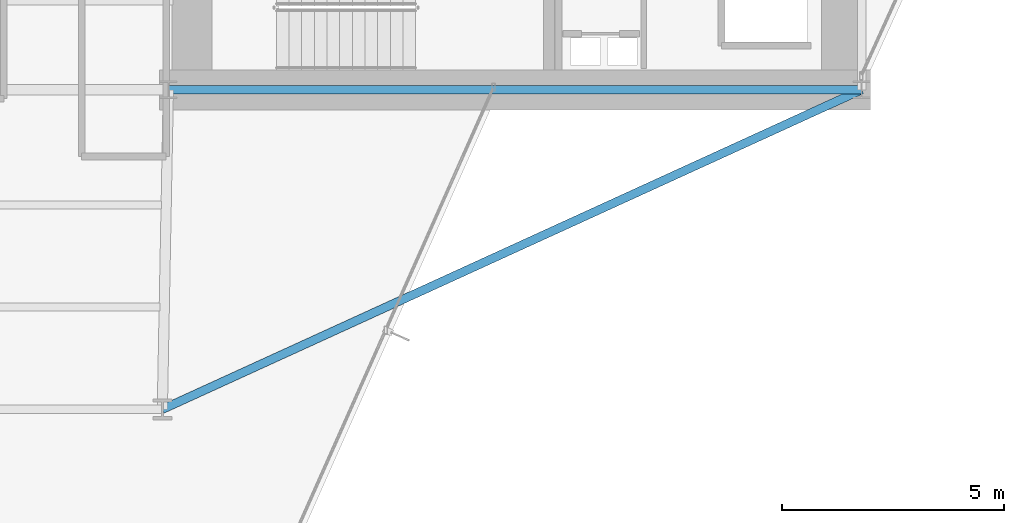
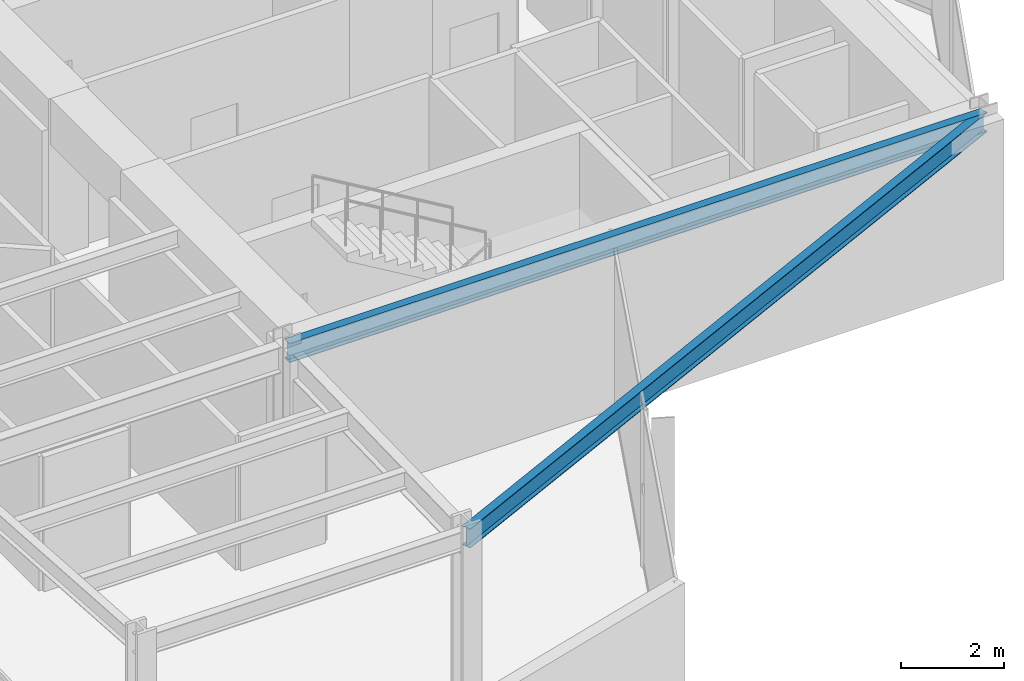
# One storey, part 11 of 23: 2 beams.
"""IFC4 building model written with IfcOpenShell, lengths in metres."""

from ifc_helpers import new_model, si_unit, direction, frame, origin, origin_2d, place, context, subcontext, project, spatial, i_section, extrude, material, material_profile, profile_set, type_object, element, save


model = new_model("IFC4")

# Units and contexts
model_context = context("Model", 3, precision=1e-05, world=origin(), true_north=direction((0.0, 1.0)))
body_context = subcontext(model_context, "Body", "Model", "MODEL_VIEW")
ifc_project = project(units=[si_unit("LENGTHUNIT", "METRE"), si_unit("AREAUNIT", "SQUARE_METRE"), si_unit("VOLUMEUNIT", "CUBIC_METRE"), si_unit("PLANEANGLEUNIT", "RADIAN"), si_unit("MASSUNIT", "GRAM", prefix="KILO")], contexts=[model_context])

# Site, building, storey
site_placement = place(None, origin())
site = spatial("IfcSite", under=ifc_project, at=site_placement, CompositionType="ELEMENT")
building_placement = place(site_placement, origin())
building = spatial("IfcBuilding", under=site, at=building_placement, Name="Veymaron Broadcast Tower", CompositionType="ELEMENT")
storey_placement = place(building_placement, frame((0.0, 0.0, 94.5)))
storey = spatial("IfcBuildingStorey", under=building, at=storey_placement, Name="L21", CompositionType="ELEMENT", Elevation=94.5)

# Beams
ifc_material = material(Name="Structural steel ASTM A992 Gr 50", Category="steel")
ifc_material_profile = material_profile(ifc_material, i_section(OverallWidth=0.19091796875, OverallDepth=0.4599609375, WebThickness=0.010009765625, FlangeThickness=0.01611328125, at=origin_2d()), Name="W460X82")
ifc_profile_set = profile_set([ifc_material_profile], Name="Structural steel ASTM A992 Gr 50")
beam_type = type_object("IfcBeamType", Name="BM-SP1", PredefinedType="SPANDREL", material=ifc_profile_set)
beam_1_placement = place(storey_placement, frame((39.0, 16.0, 3.580078125), z_axis=(1.0, 0.0, 0.0), x_axis=(0.0, 1.0, 0.0)))
element("IfcBeam", 1, at=beam_1_placement, inside=storey, type_object=beam_type, Name="L21 primary structural floor girder", PredefinedType="SPANDREL", context=body_context, shape_type="SweptSolid", body=[
    extrude(i_section(OverallWidth=0.19091796875, OverallDepth=0.4599609375, WebThickness=0.010009765625, FlangeThickness=0.01611328125, at=origin_2d()), origin(), (0.0, 0.0, 1.0), 15.60009765625),
])
beam_2_placement = place(storey_placement, frame((54.60009765625, 16.0, 3.580078125), z_axis=(-0.909545509286, -0.415604338931, 0.0), x_axis=(0.415604338931, -0.909545509286, 0.0)))
element("IfcBeam", 2, at=beam_2_placement, inside=storey, type_object=beam_type, Name="L21 primary structural floor girder", PredefinedType="SPANDREL", context=body_context, shape_type="SweptSolid", body=[
    extrude(i_section(OverallWidth=0.19091796875, OverallDepth=0.4599609375, WebThickness=0.010009765625, FlangeThickness=0.01611328125, at=origin_2d()), origin(), (0.0, 0.0, 1.0), 17.300048828125),
])

save(model, "model.ifc")
